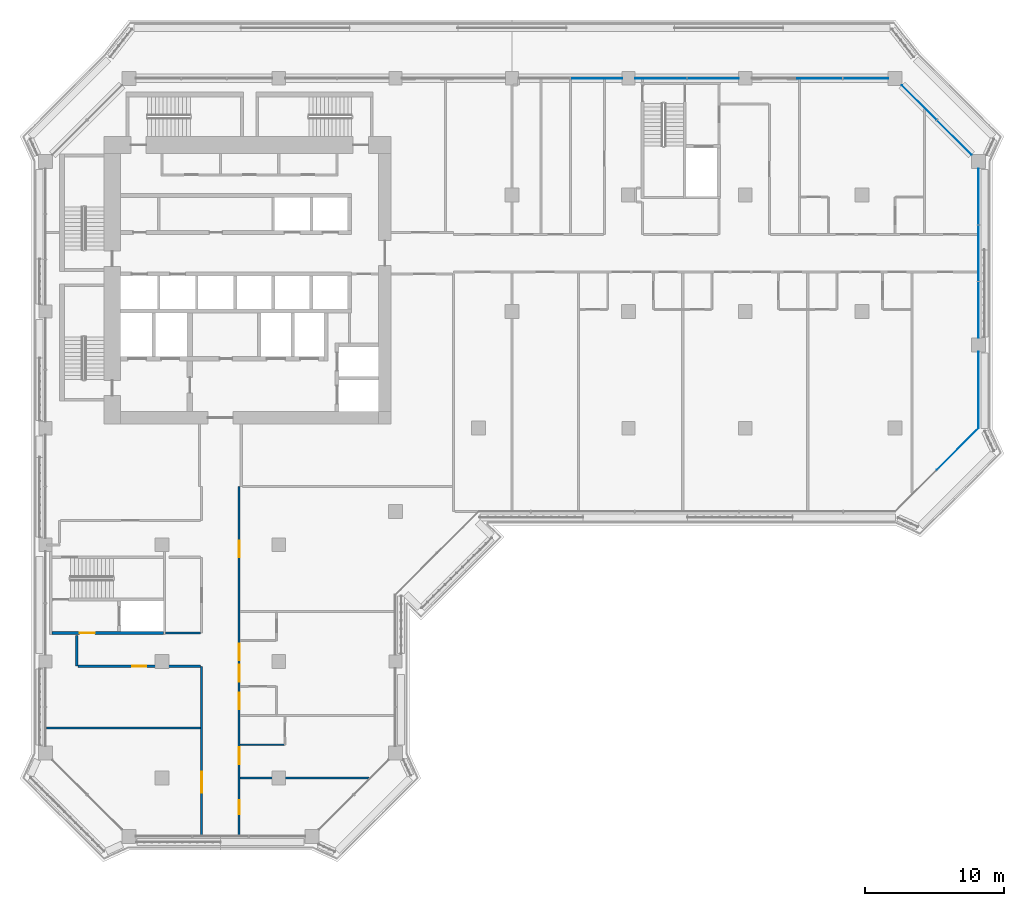
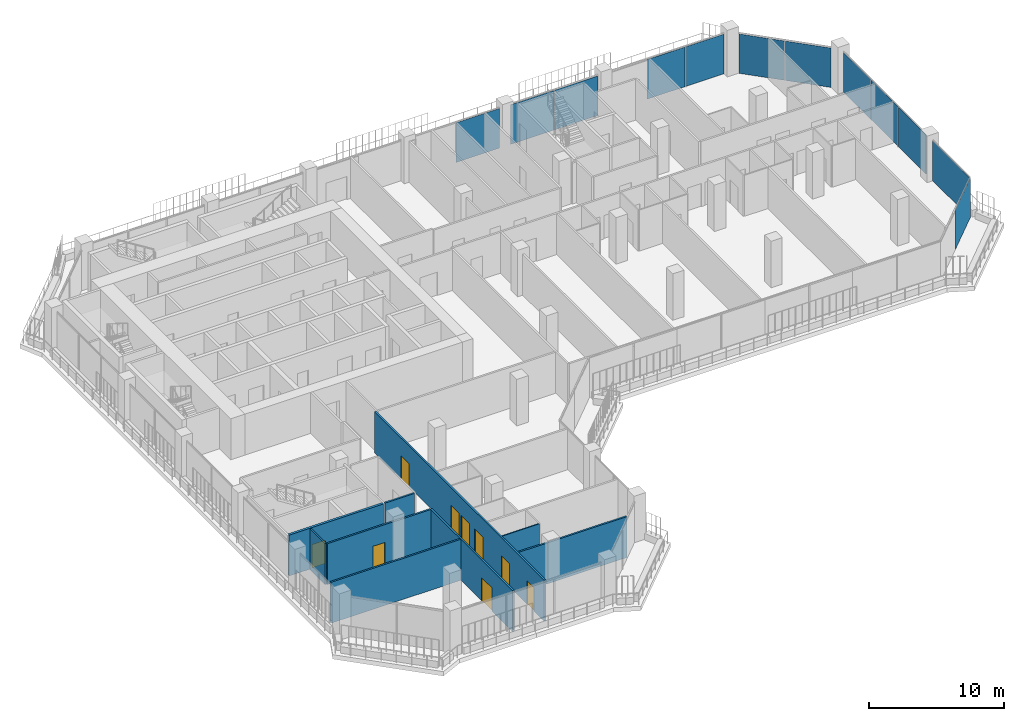
# One storey, part 9 of 22: 12 plates, 9 doors, 9 walls, 9 openings, 4 elements without a shape of their own.
"""IFC4 building model written with IfcOpenShell, lengths in metres."""

from ifc_helpers import new_model, si_unit, direction, frame, frame_2d, origin, origin_2d, place, context, subcontext, project, spatial, rectangle, extrude, material, layer, layer_set, type_object, element, fill, aggregate, save


model = new_model("IFC4")

# Units and contexts
model_context = context("Model", 3, precision=1e-05, world=origin(), true_north=direction((0.0, 1.0)))
body_context = subcontext(model_context, "Body", "Model", "MODEL_VIEW")
ifc_project = project(units=[si_unit("LENGTHUNIT", "METRE"), si_unit("AREAUNIT", "SQUARE_METRE"), si_unit("VOLUMEUNIT", "CUBIC_METRE"), si_unit("PLANEANGLEUNIT", "RADIAN"), si_unit("MASSUNIT", "GRAM", prefix="KILO")], contexts=[model_context])

# Site, building, storey
site_placement = place(None, origin())
site = spatial("IfcSite", under=ifc_project, at=site_placement, CompositionType="ELEMENT")
building_placement = place(site_placement, origin())
building = spatial("IfcBuilding", under=site, at=building_placement, Name="Kawkab Arch Medical Tower", CompositionType="ELEMENT")
storey_placement = place(building_placement, frame((0.0, 0.0, 208.800048828125)))
storey = spatial("IfcBuildingStorey", under=building, at=storey_placement, Name="L48", CompositionType="ELEMENT", Elevation=208.800048828125)

# Curtain wall, plates
ifc_material_1 = material(Name="Bronze anodised aluminium curtain wall frame", Category="aluminium")
ifc_layer_1 = layer(ifc_material_1, 0.159912109375)
ifc_layer_set_1 = layer_set([ifc_layer_1], Name="Bronze anodised aluminium curtain wall frame")
curtain_wall_type_1 = type_object("IfcCurtainWallType", Name="CW1 ward curtain wall", PredefinedType="NOTDEFINED", material=ifc_layer_set_1)
placement = place(storey_placement, origin())
curtain_wall_1 = element("IfcCurtainWall", 1, at=placement, inside=storey, type_object=curtain_wall_type_1, Name="CW1 Ward curtain wall R09", PredefinedType="NOTDEFINED")
ifc_material_2 = material(Name="Tinted insulating glass, bronze low-e coating", Category="glass")
ifc_layer_2 = layer(ifc_material_2, 0.031982421875)
ifc_layer_set_2 = layer_set([ifc_layer_2], Name="Tinted insulating glass, bronze low-e coating")
plate_type_1 = type_object("IfcPlateType", Name="CW1 glazing unit 32", PredefinedType="CURTAIN_PANEL", material=ifc_layer_set_2)
plate_1_placement = place(storey_placement, frame((67.199951171875, -22.449951171875, 0.0), z_axis=(0.0, 0.0, 1.0), x_axis=(0.0, 1.0, 0.0)))
plate_1 = element("IfcPlate", 2, at=plate_1_placement, type_object=plate_type_1, Name="CW1 glazing unit 1.1", PredefinedType="CURTAIN_PANEL", context=body_context, shape_type="SweptSolid", body=[
    extrude(rectangle(XDim=5.5, YDim=0.031982421875, at=origin_2d()), origin(), (0.0, 0.0, 1.0), 3.580078125),
])
plate_2_placement = place(storey_placement, frame((67.199951171875, -16.681640625, 0.0), z_axis=(0.0, 0.0, 1.0), x_axis=(0.0, 1.0, 0.0)))
plate_2 = element("IfcPlate", 3, at=plate_2_placement, type_object=plate_type_1, Name="CW1 glazing unit 2.1", PredefinedType="CURTAIN_PANEL", context=body_context, shape_type="SweptSolid", body=[
    extrude(rectangle(XDim=4.03662109375, YDim=0.031982421875, at=origin_2d()), origin(), (0.0, 0.0, 1.0), 3.580078125),
])
plate_3_placement = place(storey_placement, frame((67.199951171875, -12.60009765625, 0.0), z_axis=(0.0, 0.0, 1.0), x_axis=(0.0, 1.0, 0.0)))
plate_3 = element("IfcPlate", 4, at=plate_3_placement, type_object=plate_type_1, Name="CW1 glazing unit 2.2", PredefinedType="CURTAIN_PANEL", context=body_context, shape_type="SweptSolid", body=[
    extrude(rectangle(XDim=4.006591796875, YDim=0.031982421875, at=origin_2d()), origin(), (0.0, 0.0, 1.0), 3.580078125),
])
plate_4_placement = place(storey_placement, frame((67.199951171875, -8.518310546875, 0.0), z_axis=(0.0, 0.0, 1.0), x_axis=(0.0, 1.0, 0.0)))
plate_4 = element("IfcPlate", 5, at=plate_4_placement, type_object=plate_type_1, Name="CW1 glazing unit 2.3", PredefinedType="CURTAIN_PANEL", context=body_context, shape_type="SweptSolid", body=[
    extrude(rectangle(XDim=4.03662109375, YDim=0.031982421875, at=origin_2d()), origin(), (0.0, 0.0, 1.0), 3.580078125),
])
aggregate(curtain_wall_1, [plate_1, plate_2, plate_3, plate_4])

curtain_wall_2 = element("IfcCurtainWall", 6, at=placement, inside=storey, type_object=curtain_wall_type_1, Name="CW1 Ward curtain wall R11", PredefinedType="NOTDEFINED")
plate_5_placement = place(storey_placement, frame((59.077392578125, 0.0, 0.0), z_axis=(0.0, 0.0, 1.0), x_axis=(-1.0, 0.0, 0.0)))
plate_5 = element("IfcPlate", 7, at=plate_5_placement, type_object=plate_type_1, Name="CW1 glazing unit 1.1", PredefinedType="CURTAIN_PANEL", context=body_context, shape_type="SweptSolid", body=[
    extrude(rectangle(XDim=3.2451171875, YDim=0.031982421875, at=origin_2d()), origin(), (0.0, 0.0, 1.0), 3.580078125),
])
plate_6_placement = place(storey_placement, frame((55.7724609375, 0.0, 0.0), z_axis=(0.0, 0.0, 1.0), x_axis=(-1.0, 0.0, 0.0)))
plate_6 = element("IfcPlate", 8, at=plate_6_placement, type_object=plate_type_1, Name="CW1 glazing unit 1.2", PredefinedType="CURTAIN_PANEL", context=body_context, shape_type="SweptSolid", body=[
    extrude(rectangle(XDim=3.2451171875, YDim=0.031982421875, at=origin_2d()), origin(), (0.0, 0.0, 1.0), 3.580078125),
])
plate_7_placement = place(storey_placement, frame((48.077392578125, 0.0, 0.0), z_axis=(0.0, 0.0, 1.0), x_axis=(-1.0, 0.0, 0.0)))
plate_7 = element("IfcPlate", 9, at=plate_7_placement, type_object=plate_type_1, Name="CW1 glazing unit 2.1", PredefinedType="CURTAIN_PANEL", context=body_context, shape_type="SweptSolid", body=[
    extrude(rectangle(XDim=3.695068359375, YDim=0.031982421875, at=origin_2d()), origin(), (0.0, 0.0, 1.0), 3.580078125),
])
plate_8_placement = place(storey_placement, frame((44.322509765625, 0.0, 0.0), z_axis=(0.0, 0.0, 1.0), x_axis=(-1.0, 0.0, 0.0)))
plate_8 = element("IfcPlate", 10, at=plate_8_placement, type_object=plate_type_1, Name="CW1 glazing unit 2.2", PredefinedType="CURTAIN_PANEL", context=body_context, shape_type="SweptSolid", body=[
    extrude(rectangle(XDim=3.695068359375, YDim=0.031982421875, at=origin_2d()), origin(), (0.0, 0.0, 1.0), 3.580078125),
])
plate_9_placement = place(storey_placement, frame((39.677490234375, 0.0, 0.0), z_axis=(0.0, 0.0, 1.0), x_axis=(-1.0, 0.0, 0.0)))
plate_9 = element("IfcPlate", 11, at=plate_9_placement, type_object=plate_type_1, Name="CW1 glazing unit 3.1", PredefinedType="CURTAIN_PANEL", context=body_context, shape_type="SweptSolid", body=[
    extrude(rectangle(XDim=3.695068359375, YDim=0.031982421875, at=origin_2d()), origin(), (0.0, 0.0, 1.0), 3.580078125),
])
aggregate(curtain_wall_2, [plate_5, plate_6, plate_7, plate_8, plate_9])

# Curtain wall, plate
ifc_material_3 = material(Name="Bronze anodised aluminium curtain wall frame", Category="aluminium")
ifc_layer_3 = layer(ifc_material_3, 0.159912109375)
ifc_layer_set_3 = layer_set([ifc_layer_3], Name="Bronze anodised aluminium curtain wall frame")
curtain_wall_type_2 = type_object("IfcCurtainWallType", Name="CW2 chamfer curtain wall", PredefinedType="NOTDEFINED", material=ifc_layer_set_3)
curtain_wall_3 = element("IfcCurtainWall", 12, at=placement, inside=storey, type_object=curtain_wall_type_2, Name="CW2 Chamfer curtain wall R08", PredefinedType="NOTDEFINED")
ifc_material_4 = material(Name="Tinted insulating glass, bronze low-e coating", Category="glass")
ifc_layer_4 = layer(ifc_material_4, 0.031982421875)
ifc_layer_set_4 = layer_set([ifc_layer_4], Name="Tinted insulating glass, bronze low-e coating")
plate_type_2 = type_object("IfcPlateType", Name="CW2 glazing unit 32", PredefinedType="CURTAIN_PANEL", material=ifc_layer_set_4)
plate_10_placement = place(storey_placement, frame((65.699951171875, -26.699951171875, 0.0), z_axis=(0.0, 0.0, 1.0), x_axis=(0.707106781187, 0.707106781187, 0.0)))
plate_10 = element("IfcPlate", 13, at=plate_10_placement, type_object=plate_type_2, Name="CW2 glazing unit 2.1", PredefinedType="CURTAIN_PANEL", context=body_context, shape_type="SweptSolid", body=[
    extrude(rectangle(XDim=4.24267578125, YDim=0.031982421875, at=origin_2d()), origin(), (0.0, 0.0, 1.0), 3.56005859375),
])
aggregate(curtain_wall_3, [plate_10])

# Curtain wall, plates
curtain_wall_4 = element("IfcCurtainWall", 14, at=placement, inside=storey, type_object=curtain_wall_type_2, Name="CW2 Chamfer curtain wall R10", PredefinedType="NOTDEFINED")
plate_11_placement = place(storey_placement, frame((65.460693359375, -4.260498046875, 0.0), z_axis=(0.0, 0.0, 1.0), x_axis=(-0.707106781187, 0.707106781187, 0.0)))
plate_11 = element("IfcPlate", 15, at=plate_11_placement, type_object=plate_type_2, Name="CW2 glazing unit 1.1", PredefinedType="CURTAIN_PANEL", context=body_context, shape_type="SweptSolid", body=[
    extrude(rectangle(XDim=3.505615234375, YDim=0.031982421875, at=origin_2d()), origin(), (0.0, 0.0, 1.0), 3.56005859375),
])
plate_12_placement = place(storey_placement, frame((62.939453125, -1.739501953125, 0.0), z_axis=(0.0, 0.0, 1.0), x_axis=(-0.707106781187, 0.707106781187, 0.0)))
plate_12 = element("IfcPlate", 16, at=plate_12_placement, type_object=plate_type_2, Name="CW2 glazing unit 1.2", PredefinedType="CURTAIN_PANEL", context=body_context, shape_type="SweptSolid", body=[
    extrude(rectangle(XDim=3.505615234375, YDim=0.031982421875, at=origin_2d()), origin(), (0.0, 0.0, 1.0), 3.56005859375),
])
aggregate(curtain_wall_4, [plate_11, plate_12])

# Walls
ifc_material_5 = material(Name="Gypsum board partition on steel studs", Category="steel")
ifc_layer_5 = layer(ifc_material_5, 0.10009765625)
ifc_layer_set_5 = layer_set([ifc_layer_5], Name="Gypsum board partition on steel studs")
wall_type_1 = type_object("IfcWallType", Name="Partition 100", PredefinedType="PARTITIONING", material=ifc_layer_set_5)
wall_1_placement = place(storey_placement, frame((14.02490234375, -48.0, 0.0), z_axis=(0.0, 0.0, 1.0), x_axis=(1.0, 0.0, 0.0)))
element("IfcWall", 17, at=wall_1_placement, inside=storey, type_object=wall_type_1, Name="Partition 100 w001", PredefinedType="PARTITIONING", context=body_context, shape_type="SweptSolid", body=[
    extrude(rectangle(XDim=3.175048828125, YDim=0.10009765625, at=frame_2d((1.58740234375, 0.0))), origin(), (0.0, 0.0, 1.0), 3.699951171875),
])
ifc_material_6 = material(Name="Gypsum board partition on steel studs, mineral wool", Category="steel")
ifc_layer_6 = layer(ifc_material_6, 0.14990234375)
ifc_layer_set_6 = layer_set([ifc_layer_6], Name="Gypsum board partition on steel studs, mineral wool")
wall_type_2 = type_object("IfcWallType", Name="Partition 150", PredefinedType="PARTITIONING", material=ifc_layer_set_6)
wall_2_placement = place(storey_placement, frame((14.02490234375, -50.39990234375, 0.0), z_axis=(0.0, 0.0, 1.0), x_axis=(1.0, 0.0, 0.0)))
element("IfcWall", 18, at=wall_2_placement, inside=storey, type_object=wall_type_2, Name="Partition 150 w021", PredefinedType="PARTITIONING", context=body_context, shape_type="SweptSolid", body=[
    extrude(rectangle(XDim=9.26220703125, YDim=0.14990234375, at=frame_2d((4.631103515625, 0.0))), origin(), (0.0, 0.0, 1.0), 3.699951171875),
])
wall_3_placement = place(storey_placement, frame((0.080078125, -46.800048828125, 0.0), z_axis=(0.0, 0.0, 1.0), x_axis=(1.0, 0.0, 0.0)))
element("IfcWall", 19, at=wall_3_placement, inside=storey, type_object=wall_type_2, Name="Partition 150 w022", PredefinedType="PARTITIONING", context=body_context, shape_type="SweptSolid", body=[
    extrude(rectangle(XDim=11.094970703125, YDim=0.14990234375, at=frame_2d((5.54736328125, 0.0))), origin(), (0.0, 0.0, 1.0), 3.699951171875),
])

# Wall, opening, door
wall_4_placement = place(storey_placement, frame((2.326904296875, -42.35009765625, 0.0), z_axis=(0.0, 0.0, 1.0), x_axis=(1.0, 0.0, 0.0)))
wall_4 = element("IfcWall", 20, at=wall_4_placement, inside=storey, type_object=wall_type_2, Name="Partition 150 w024", PredefinedType="PARTITIONING", context=body_context, shape_type="SweptSolid", body=[
    extrude(rectangle(XDim=8.84814453125, YDim=0.14990234375, at=frame_2d((4.424072265625, 0.0))), origin(), (0.0, 0.0, 1.0), 3.699951171875),
])
opening_1_placement = place(wall_4_placement, frame((3.924072265625, 0.0, 0.0)))
opening_1 = element("IfcOpeningElement", 21, at=opening_1_placement, cuts=wall_4, Name="Opening W43-019", PredefinedType="OPENING", context=body_context, shape_type="SweptSolid", body=[
    extrude(rectangle(XDim=1.0, YDim=2.10009765625, at=frame_2d((0.5, 1.050048828125))), frame((0.0, 0.0849609375, 0.0), z_axis=(0.0, -1.0, 0.0), x_axis=(1.0, 0.0, 0.0)), (0.0, 0.0, 1.0), 0.169921875),
])
ifc_material_7 = material(Name="Hollow metal door leaf")
door_type_1 = type_object("IfcDoorType", Name="Single door 1000x2100 FD30S", OperationType="NOTDEFINED", PredefinedType="DOOR", material=ifc_material_7)
door_1_placement = place(opening_1_placement, origin())
door_1 = element("IfcDoor", 22, at=door_1_placement, inside=storey, type_object=door_type_1, Name="Door W43-019", OperationType="SINGLE_SWING_LEFT", OverallHeight=2.10009765625, OverallWidth=1.0, PredefinedType="DOOR", context=body_context, shape_type="SweptSolid", body=[
    extrude(rectangle(XDim=1.0, YDim=2.10009765625, at=frame_2d((0.5, 1.050048828125))), frame((0.0, 0.02490234375, 0.0), z_axis=(0.0, -1.0, 0.0), x_axis=(1.0, 0.0, 0.0)), (0.0, 0.0, 1.0), 0.050048828125),
])
fill(opening_1, door_1)

# Walls
wall_5_placement = place(storey_placement, frame((8.64990234375, -39.949951171875, 0.0), z_axis=(0.0, 0.0, 1.0), x_axis=(1.0, 0.0, 0.0)))
element("IfcWall", 23, at=wall_5_placement, inside=storey, type_object=wall_type_2, Name="Partition 150 w025", PredefinedType="PARTITIONING", context=body_context, shape_type="SweptSolid", body=[
    extrude(rectangle(XDim=2.525146484375, YDim=0.14990234375, at=frame_2d((1.2626953125, 0.0))), origin(), (0.0, 0.0, 1.0), 3.699951171875),
])
wall_6_placement = place(storey_placement, frame((2.25, -42.347900390625, 0.0), z_axis=(0.0, 0.0, 1.0), x_axis=(0.0, 1.0, 0.0)))
element("IfcWall", 24, at=wall_6_placement, inside=storey, type_object=wall_type_2, Name="Partition 150 w044", PredefinedType="PARTITIONING", context=body_context, shape_type="SweptSolid", body=[
    extrude(rectangle(XDim=2.218017578125, YDim=0.14990234375, at=frame_2d((1.10888671875, 0.0))), origin(), (0.0, 0.0, 1.0), 3.699951171875),
])

# Wall, opening, door
wall_7_placement = place(storey_placement, frame((11.25, -54.52001953125, 0.0), z_axis=(0.0, 0.0, 1.0), x_axis=(0.0, 1.0, 0.0)))
wall_7 = element("IfcWall", 25, at=wall_7_placement, inside=storey, type_object=wall_type_2, Name="Partition 150 w046", PredefinedType="PARTITIONING", context=body_context, shape_type="SweptSolid", body=[
    extrude(rectangle(XDim=12.169921875, YDim=0.14990234375, at=frame_2d((6.0849609375, 0.0))), origin(), (0.0, 0.0, 1.0), 3.699951171875),
])
opening_2_placement = place(wall_7_placement, frame((3.070068359375, 0.0, 0.0)))
opening_2 = element("IfcOpeningElement", 26, at=opening_2_placement, cuts=wall_7, Name="Opening W43-002", PredefinedType="OPENING", context=body_context, shape_type="SweptSolid", body=[
    extrude(rectangle(XDim=1.5, YDim=2.10009765625, at=frame_2d((0.75, 1.050048828125))), frame((0.0, 0.0849609375, 0.0), z_axis=(0.0, -1.0, 0.0), x_axis=(1.0, 0.0, 0.0)), (0.0, 0.0, 1.0), 0.169921875),
])
ifc_material_8 = material(Name="Hollow metal door leaf")
door_type_2 = type_object("IfcDoorType", Name="Double door 1500x2100 FD30S", OperationType="NOTDEFINED", PredefinedType="DOOR", material=ifc_material_8)
door_2_placement = place(opening_2_placement, origin())
door_2 = element("IfcDoor", 27, at=door_2_placement, inside=storey, type_object=door_type_2, Name="Door W43-002", OperationType="DOUBLE_DOOR_SINGLE_SWING", OverallHeight=2.10009765625, OverallWidth=1.5, PredefinedType="DOOR", context=body_context, shape_type="SweptSolid", body=[
    extrude(rectangle(XDim=1.5, YDim=2.10009765625, at=frame_2d((0.75, 1.050048828125))), frame((0.0, 0.02490234375, 0.0), z_axis=(0.0, -1.0, 0.0), x_axis=(1.0, 0.0, 0.0)), (0.0, 0.0, 1.0), 0.050048828125),
])
fill(opening_2, door_2)

# Wall, openings, doors
wall_8_placement = place(storey_placement, frame((13.949951171875, -54.52001953125, 0.0), z_axis=(0.0, 0.0, 1.0), x_axis=(0.0, 1.0, 0.0)))
wall_8 = element("IfcWall", 28, at=wall_8_placement, inside=storey, type_object=wall_type_2, Name="Partition 150 w049", PredefinedType="PARTITIONING", context=body_context, shape_type="SweptSolid", body=[
    extrude(rectangle(XDim=25.1201171875, YDim=0.14990234375, at=frame_2d((12.56005859375, 0.0))), origin(), (0.0, 0.0, 1.0), 3.699951171875),
])
opening_3_placement = place(wall_8_placement, frame((20.02001953125, 0.0, 0.0)))
opening_3 = element("IfcOpeningElement", 29, at=opening_3_placement, cuts=wall_8, Name="Opening W43-041", PredefinedType="OPENING", context=body_context, shape_type="SweptSolid", body=[
    extrude(rectangle(XDim=1.199951171875, YDim=2.10009765625, at=frame_2d((0.60009765625, 1.050048828125))), frame((0.0, 0.0849609375, 0.0), z_axis=(0.0, -1.0, 0.0), x_axis=(1.0, 0.0, 0.0)), (0.0, 0.0, 1.0), 0.169921875),
])
opening_4_placement = place(wall_8_placement, frame((12.594970703125, 0.0, 0.0)))
opening_4 = element("IfcOpeningElement", 30, at=opening_4_placement, cuts=wall_8, Name="Opening W43-042", PredefinedType="OPENING", context=body_context, shape_type="SweptSolid", body=[
    extrude(rectangle(XDim=1.199951171875, YDim=2.10009765625, at=frame_2d((0.60009765625, 1.050048828125))), frame((0.0, 0.0849609375, 0.0), z_axis=(0.0, -1.0, 0.0), x_axis=(1.0, 0.0, 0.0)), (0.0, 0.0, 1.0), 0.169921875),
])
opening_5_placement = place(wall_8_placement, frame((11.070068359375, 0.0, 0.0)))
opening_5 = element("IfcOpeningElement", 31, at=opening_5_placement, cuts=wall_8, Name="Opening W43-043", PredefinedType="OPENING", context=body_context, shape_type="SweptSolid", body=[
    extrude(rectangle(XDim=1.199951171875, YDim=2.10009765625, at=frame_2d((0.60009765625, 1.050048828125))), frame((0.0, 0.0849609375, 0.0), z_axis=(0.0, -1.0, 0.0), x_axis=(1.0, 0.0, 0.0)), (0.0, 0.0, 1.0), 0.169921875),
])
opening_6_placement = place(wall_8_placement, frame((9.070068359375, 0.0, 0.0)))
opening_6 = element("IfcOpeningElement", 32, at=opening_6_placement, cuts=wall_8, Name="Opening W43-044", PredefinedType="OPENING", context=body_context, shape_type="SweptSolid", body=[
    extrude(rectangle(XDim=1.199951171875, YDim=2.10009765625, at=frame_2d((0.60009765625, 1.050048828125))), frame((0.0, 0.0849609375, 0.0), z_axis=(0.0, -1.0, 0.0), x_axis=(1.0, 0.0, 0.0)), (0.0, 0.0, 1.0), 0.169921875),
])
opening_7_placement = place(wall_8_placement, frame((5.1201171875, 0.0, 0.0)))
opening_7 = element("IfcOpeningElement", 33, at=opening_7_placement, cuts=wall_8, Name="Opening W43-046", PredefinedType="OPENING", context=body_context, shape_type="SweptSolid", body=[
    extrude(rectangle(XDim=1.199951171875, YDim=2.10009765625, at=frame_2d((0.60009765625, 1.050048828125))), frame((0.0, 0.0849609375, 0.0), z_axis=(0.0, -1.0, 0.0), x_axis=(1.0, 0.0, 0.0)), (0.0, 0.0, 1.0), 0.169921875),
])
opening_8_placement = place(wall_8_placement, frame((1.52001953125, 0.0, 0.0)))
opening_8 = element("IfcOpeningElement", 34, at=opening_8_placement, cuts=wall_8, Name="Opening W43-020", PredefinedType="OPENING", context=body_context, shape_type="SweptSolid", body=[
    extrude(rectangle(XDim=1.0, YDim=2.10009765625, at=frame_2d((0.5, 1.050048828125))), frame((0.0, 0.0849609375, 0.0), z_axis=(0.0, -1.0, 0.0), x_axis=(1.0, 0.0, 0.0)), (0.0, 0.0, 1.0), 0.169921875),
])
door_3_placement = place(opening_8_placement, origin())
door_3 = element("IfcDoor", 35, at=door_3_placement, inside=storey, type_object=door_type_1, Name="Door W43-020", OperationType="SINGLE_SWING_RIGHT", OverallHeight=2.10009765625, OverallWidth=1.0, PredefinedType="DOOR", context=body_context, shape_type="SweptSolid", body=[
    extrude(rectangle(XDim=1.0, YDim=2.10009765625, at=frame_2d((0.5, 1.050048828125))), frame((0.0, 0.02490234375, 0.0), z_axis=(0.0, -1.0, 0.0), x_axis=(1.0, 0.0, 0.0)), (0.0, 0.0, 1.0), 0.050048828125),
])
fill(opening_8, door_3)
ifc_material_9 = material(Name="Hollow metal door leaf")
door_type_3 = type_object("IfcDoorType", Name="Single door 1200x2100 FD30S", OperationType="NOTDEFINED", PredefinedType="DOOR", material=ifc_material_9)
door_4_placement = place(opening_3_placement, origin())
door_4 = element("IfcDoor", 36, at=door_4_placement, inside=storey, type_object=door_type_3, Name="Door W43-041", OperationType="SINGLE_SWING_LEFT", OverallHeight=2.10009765625, OverallWidth=1.199951171875, PredefinedType="DOOR", context=body_context, shape_type="SweptSolid", body=[
    extrude(rectangle(XDim=1.199951171875, YDim=2.10009765625, at=frame_2d((0.60009765625, 1.050048828125))), frame((0.0, 0.02490234375, 0.0), z_axis=(0.0, -1.0, 0.0), x_axis=(1.0, 0.0, 0.0)), (0.0, 0.0, 1.0), 0.050048828125),
])
fill(opening_3, door_4)
door_5_placement = place(opening_4_placement, origin())
door_5 = element("IfcDoor", 37, at=door_5_placement, inside=storey, type_object=door_type_3, Name="Door W43-042", OperationType="SINGLE_SWING_LEFT", OverallHeight=2.10009765625, OverallWidth=1.199951171875, PredefinedType="DOOR", context=body_context, shape_type="SweptSolid", body=[
    extrude(rectangle(XDim=1.199951171875, YDim=2.10009765625, at=frame_2d((0.60009765625, 1.050048828125))), frame((0.0, 0.02490234375, 0.0), z_axis=(0.0, -1.0, 0.0), x_axis=(1.0, 0.0, 0.0)), (0.0, 0.0, 1.0), 0.050048828125),
])
fill(opening_4, door_5)
door_6_placement = place(opening_5_placement, origin())
door_6 = element("IfcDoor", 38, at=door_6_placement, inside=storey, type_object=door_type_3, Name="Door W43-043", OperationType="SINGLE_SWING_RIGHT", OverallHeight=2.10009765625, OverallWidth=1.199951171875, PredefinedType="DOOR", context=body_context, shape_type="SweptSolid", body=[
    extrude(rectangle(XDim=1.199951171875, YDim=2.10009765625, at=frame_2d((0.60009765625, 1.050048828125))), frame((0.0, 0.02490234375, 0.0), z_axis=(0.0, -1.0, 0.0), x_axis=(1.0, 0.0, 0.0)), (0.0, 0.0, 1.0), 0.050048828125),
])
fill(opening_5, door_6)
door_7_placement = place(opening_6_placement, origin())
door_7 = element("IfcDoor", 39, at=door_7_placement, inside=storey, type_object=door_type_3, Name="Door W43-044", OperationType="SINGLE_SWING_RIGHT", OverallHeight=2.10009765625, OverallWidth=1.199951171875, PredefinedType="DOOR", context=body_context, shape_type="SweptSolid", body=[
    extrude(rectangle(XDim=1.199951171875, YDim=2.10009765625, at=frame_2d((0.60009765625, 1.050048828125))), frame((0.0, 0.02490234375, 0.0), z_axis=(0.0, -1.0, 0.0), x_axis=(1.0, 0.0, 0.0)), (0.0, 0.0, 1.0), 0.050048828125),
])
fill(opening_6, door_7)
door_8_placement = place(opening_7_placement, origin())
door_8 = element("IfcDoor", 40, at=door_8_placement, inside=storey, type_object=door_type_3, Name="Door W43-046", OperationType="SINGLE_SWING_RIGHT", OverallHeight=2.10009765625, OverallWidth=1.199951171875, PredefinedType="DOOR", context=body_context, shape_type="SweptSolid", body=[
    extrude(rectangle(XDim=1.199951171875, YDim=2.10009765625, at=frame_2d((0.60009765625, 1.050048828125))), frame((0.0, 0.02490234375, 0.0), z_axis=(0.0, -1.0, 0.0), x_axis=(1.0, 0.0, 0.0)), (0.0, 0.0, 1.0), 0.050048828125),
])
fill(opening_7, door_8)

# Wall, opening, door
ifc_material_10 = material(Name="Concrete C50/60", Category="concrete")
ifc_layer_7 = layer(ifc_material_10, 0.199951171875)
ifc_layer_set_7 = layer_set([ifc_layer_7], Name="Concrete C50/60")
wall_type_3 = type_object("IfcWallType", Name="Stair enclosure wall 200 C50/60", PredefinedType="SHEAR", material=ifc_layer_set_7)
wall_9_placement = place(storey_placement, frame((0.449951171875, -39.949951171875, 0.0), z_axis=(0.0, 0.0, 1.0), x_axis=(1.0, 0.0, 0.0)))
wall_9 = element("IfcWall", 41, at=wall_9_placement, inside=storey, type_object=wall_type_3, Name="L48 stair enclosure wall", PredefinedType="SHEAR", context=body_context, shape_type="SweptSolid", body=[
    extrude(rectangle(XDim=8.050048828125, YDim=0.199951171875, at=frame_2d((4.02490234375, 0.0))), origin(), (0.0, 0.0, 1.0), 3.699951171875),
])
opening_9_placement = place(wall_9_placement, frame((2.0, 0.0, 0.0)))
opening_9 = element("IfcOpeningElement", 42, at=opening_9_placement, cuts=wall_9, Name="Opening FD", PredefinedType="OPENING", context=body_context, shape_type="SweptSolid", body=[
    extrude(rectangle(XDim=1.10009765625, YDim=2.10009765625, at=frame_2d((0.550048828125, 1.050048828125))), frame((0.0, 0.10986328125, 0.0), z_axis=(0.0, -1.0, 0.0), x_axis=(1.0, 0.0, 0.0)), (0.0, 0.0, 1.0), 0.219970703125),
])
ifc_material_11 = material(Name="Hollow metal fire door leaf")
door_type_4 = type_object("IfcDoorType", Name="Firefighting lobby door 1100", OperationType="SINGLE_SWING_LEFT", PredefinedType="DOOR", material=ifc_material_11)
door_9_placement = place(opening_9_placement, origin())
door_9 = element("IfcDoor", 43, at=door_9_placement, inside=storey, type_object=door_type_4, Name="L48 Service lift lobby door SV2", OperationType="SINGLE_SWING_LEFT", OverallHeight=2.10009765625, OverallWidth=1.10009765625, PredefinedType="DOOR", context=body_context, shape_type="SweptSolid", body=[
    extrude(rectangle(XDim=1.10009765625, YDim=2.10009765625, at=frame_2d((0.550048828125, 1.050048828125))), frame((0.0, 0.02490234375, 0.0), z_axis=(0.0, -1.0, 0.0), x_axis=(1.0, 0.0, 0.0)), (0.0, 0.0, 1.0), 0.050048828125),
])
fill(opening_9, door_9)

save(model, "model.ifc")
